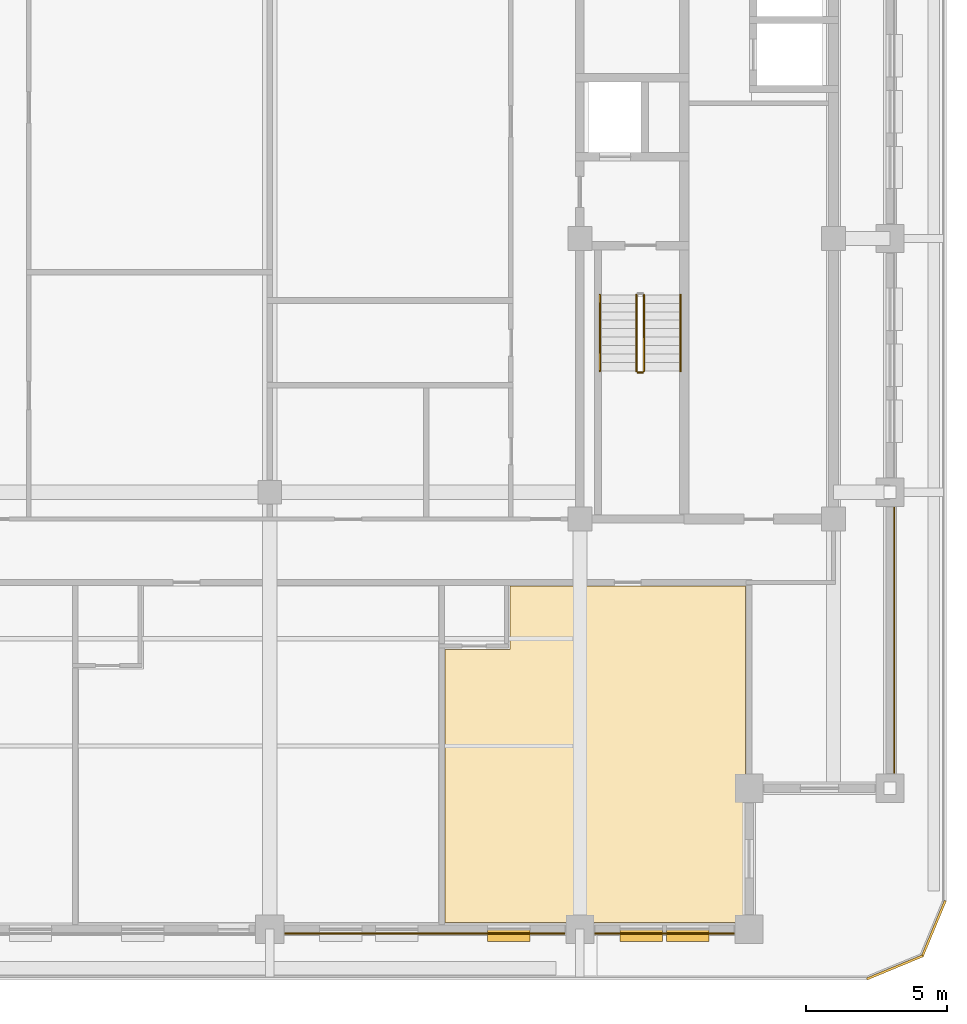
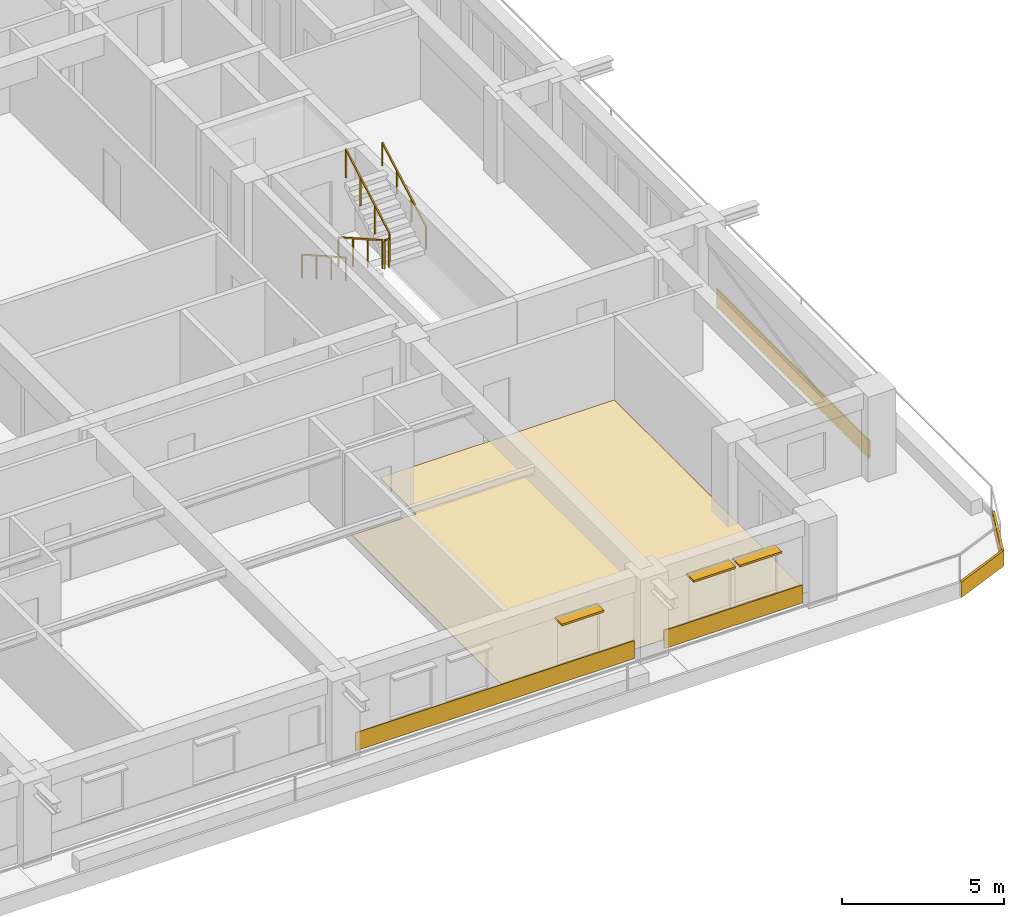
# One storey, part 12 of 14: 6 coverings, 5 railings, 3 shading devices.
"""IFC4 building model written with IfcOpenShell, lengths in metres."""

from ifc_helpers import new_model, si_unit, direction, frame, frame_2d, origin, origin_2d, place, context, subcontext, project, spatial, polyline, rectangle, outline, extrude, material, layer, layer_set, type_object, element, save


model = new_model("IFC4")

# Units and contexts
model_context = context("Model", 3, precision=1e-05, world=origin(), true_north=direction((0.0, 1.0)))
body_context = subcontext(model_context, "Body", "Model", "MODEL_VIEW")
ifc_project = project(units=[si_unit("LENGTHUNIT", "METRE"), si_unit("AREAUNIT", "SQUARE_METRE"), si_unit("VOLUMEUNIT", "CUBIC_METRE"), si_unit("PLANEANGLEUNIT", "RADIAN"), si_unit("MASSUNIT", "GRAM", prefix="KILO")], contexts=[model_context])

# Site, building, storey
site_placement = place(None, origin())
site = spatial("IfcSite", under=ifc_project, at=site_placement, CompositionType="ELEMENT")
building_placement = place(site_placement, origin())
building = spatial("IfcBuilding", under=site, at=building_placement, Name="Zulmaris Gate Convention Tower", CompositionType="ELEMENT")
storey_placement = place(building_placement, frame((0.0, 0.0, 194.85986328125)))
storey = spatial("IfcBuildingStorey", under=building, at=storey_placement, Name="L50", CompositionType="ELEMENT", Elevation=194.85986328125)

# Coverings
ifc_material_1 = material(Name="Precast concrete C40/50", Category="concrete")
ifc_layer_1 = layer(ifc_material_1, 0.0400390625, Name="Precast concrete C40/50")
ifc_layer_set_1 = layer_set([ifc_layer_1], Name="Precast concrete C40/50")
covering_type_1 = type_object("IfcCoveringType", Name="CLAD-SPANDREL-PRECAST", PredefinedType="CLADDING", material=ifc_layer_set_1)
covering_1_placement = place(storey_placement, frame((0.530029296875, -24.64990234375, 0.0), z_axis=(0.0, 0.0, 1.0), x_axis=(1.0, 0.0, 0.0)))
element("IfcCovering", 1, at=covering_1_placement, inside=storey, type_object=covering_type_1, Name="CLD-L50-S-2_0", PredefinedType="CLADDING", context=body_context, shape_type="SweptSolid", body=[
    extrude(rectangle(XDim=9.93994140625, YDim=0.0400390625, at=frame_2d((4.969970703125, 0.0))), origin(), (0.0, 0.0, 1.0), 0.679931640625),
])
covering_2_placement = place(storey_placement, frame((11.530029296875, -24.64990234375, 0.0), z_axis=(0.0, 0.0, 1.0), x_axis=(1.0, 0.0, 0.0)))
element("IfcCovering", 2, at=covering_2_placement, inside=storey, type_object=covering_type_1, Name="CLD-L50-S-3_0", PredefinedType="CLADDING", context=body_context, shape_type="SweptSolid", body=[
    extrude(rectangle(XDim=4.93994140625, YDim=0.0400390625, at=frame_2d((2.469970703125, 0.0))), origin(), (0.0, 0.0, 1.0), 0.679931640625),
])
covering_3_placement = place(storey_placement, frame((22.14990234375, -18.969970703125, 0.0), z_axis=(0.0, 0.0, 1.0), x_axis=(0.0, 1.0, 0.0)))
element("IfcCovering", 3, at=covering_3_placement, inside=storey, type_object=covering_type_1, Name="CLD-L50-E-0_0", PredefinedType="CLADDING", context=body_context, shape_type="SweptSolid", body=[
    extrude(rectangle(XDim=9.43994140625, YDim=0.0400390625, at=frame_2d((4.719970703125, 0.0))), origin(), (0.0, 0.0, 1.0), 0.679931640625),
])
ifc_material_2 = material(Name="White Glazed Architectural Precast Concrete C40/50", Category="concrete")
ifc_layer_2 = layer(ifc_material_2, 0.080078125, Name="White Glazed Architectural Precast Concrete C40/50")
ifc_layer_set_2 = layer_set([ifc_layer_2], Name="White Glazed Architectural Precast Concrete C40/50")
covering_type_2 = type_object("IfcCoveringType", Name="CLAD-TRAY-FASCIA", PredefinedType="CLADDING", material=ifc_layer_set_2)
covering_4_placement = place(storey_placement, frame((21.184814453125, -26.262939453125, -0.46484375), z_axis=(0.0, 0.0, 1.0), x_axis=(0.923873803533, 0.382697263049, 0.0)))
element("IfcCovering", 4, at=covering_4_placement, inside=storey, type_object=covering_type_2, Name="FSC-L50-TR-03", PredefinedType="CLADDING", context=body_context, shape_type="SweptSolid", body=[
    extrude(rectangle(XDim=2.142822265625, YDim=0.080078125, at=frame_2d((1.0712890625, 0.0))), origin(), (0.0, 0.0, 1.0), 0.5849609375),
])
covering_5_placement = place(storey_placement, frame((23.142822265625, -25.464599609375, -0.46484375), z_axis=(0.0, 0.0, 1.0), x_axis=(0.382656984709, 0.923890487046, 0.0)))
element("IfcCovering", 5, at=covering_5_placement, inside=storey, type_object=covering_type_2, Name="FSC-L50-TR-04", PredefinedType="CLADDING", context=body_context, shape_type="SweptSolid", body=[
    extrude(rectangle(XDim=2.14306640625, YDim=0.080078125, at=frame_2d((1.071533203125, 0.0))), origin(), (0.0, 0.0, 1.0), 0.5849609375),
])
ifc_material_3 = material(Name="Engineered Teak Parquet Flooring")
ifc_layer_3 = layer(ifc_material_3, 0.02001953125, Name="Engineered Teak Parquet Flooring")
ifc_layer_set_3 = layer_set([ifc_layer_3], Name="Engineered Teak Parquet Flooring")
covering_type_3 = type_object("IfcCoveringType", Name="FLR-TIMBER-18", PredefinedType="FLOORING", material=ifc_layer_set_3)
covering_6_placement = place(storey_placement, origin())
element("IfcCovering", 6, at=covering_6_placement, inside=storey, type_object=covering_type_3, Name="FLR-L50-R45", PredefinedType="FLOORING", context=body_context, shape_type="SweptSolid", body=[
    extrude(outline(polyline([(6.219970703125, -24.260009765625), (16.8798828125, -24.260009765625), (16.8798828125, -12.320068359375), (8.52001953125, -12.320068359375), (8.52001953125, -14.570068359375), (6.219970703125, -14.570068359375), (6.219970703125, -24.260009765625)])), origin(), (0.0, 0.0, 1.0), 0.02001953125),
])

# Railings
ifc_material_4 = material(Name="Painted Galvanised Steel", Category="steel")
railing_type_1 = type_object("IfcRailingType", Name="RL-STG-1150", PredefinedType="GUARDRAIL", material=ifc_material_4)
railing_1_placement = place(storey_placement, frame((13.010009765625, -2.0, 0.169921875)))
element("IfcRailing", 7, at=railing_1_placement, inside=storey, type_object=railing_type_1, Name="L50 ST-2 stair guard 1", PredefinedType="GUARDRAIL", context=body_context, shape_type="SweptSolid", body=[
    extrude(rectangle(XDim=0.048095703125, YDim=0.048095703125, at=origin_2d()), frame((0.0, 0.0, 1.076171875), z_axis=(0.0, -0.869980566543, 0.493086010588), x_axis=(1.0, 0.0, 0.0)), (0.0, 0.0, 1.0), 3.103515625),
    extrude(rectangle(XDim=0.0419921875, YDim=0.0419921875, at=origin_2d()), origin(), (0.0, 0.0, 1.0), 1.052001953125),
    extrude(rectangle(XDim=0.0419921875, YDim=0.0419921875, at=origin_2d()), frame((0.0, -0.89990234375, 0.510009765625)), (0.0, 0.0, 1.0), 1.052001953125),
    extrude(rectangle(XDim=0.0419921875, YDim=0.0419921875, at=origin_2d()), frame((0.0, -1.800048828125, 1.020263671875)), (0.0, 0.0, 1.0), 1.052001953125),
    extrude(rectangle(XDim=0.0419921875, YDim=0.0419921875, at=origin_2d()), frame((0.0, -2.699951171875, 1.5302734375)), (0.0, 0.0, 1.0), 1.052001953125),
])
railing_2_placement = place(storey_placement, frame((13.06005859375, -4.75, 1.7001953125)))
element("IfcRailing", 8, at=railing_2_placement, inside=storey, type_object=railing_type_1, Name="L50 ST-2 stair guard 2", PredefinedType="GUARDRAIL", context=body_context, shape_type="SweptSolid", body=[
    extrude(rectangle(XDim=0.048095703125, YDim=0.048095703125, at=origin_2d()), frame((0.0, 0.0, 1.076171875), z_axis=(1.0, 0.0, 0.0), x_axis=(0.0, 1.0, 0.0)), (0.0, 0.0, 1.0), 0.159912109375),
    extrude(rectangle(XDim=0.0419921875, YDim=0.0419921875, at=origin_2d()), origin(), (0.0, 0.0, 1.0), 1.052001953125),
    extrude(rectangle(XDim=0.0419921875, YDim=0.0419921875, at=origin_2d()), frame((0.159912109375, 0.0, 0.0)), (0.0, 0.0, 1.0), 1.052001953125),
])
railing_3_placement = place(storey_placement, frame((13.27001953125, -4.699951171875, 1.8701171875)))
element("IfcRailing", 9, at=railing_3_placement, inside=storey, type_object=railing_type_1, Name="L50 ST-2 stair guard 3", PredefinedType="GUARDRAIL", context=body_context, shape_type="SweptSolid", body=[
    extrude(rectangle(XDim=0.048095703125, YDim=0.048095703125, at=origin_2d()), frame((0.0, 0.0, 1.076171875), z_axis=(0.0, 0.870014312096, 0.49302646658), x_axis=(-1.0, 0.0, 0.0)), (0.0, 0.0, 1.0), 3.103271484375),
    extrude(rectangle(XDim=0.0419921875, YDim=0.0419921875, at=origin_2d()), origin(), (0.0, 0.0, 1.0), 1.052001953125),
    extrude(rectangle(XDim=0.0419921875, YDim=0.0419921875, at=origin_2d()), frame((0.0, 0.89990234375, 0.510009765625)), (0.0, 0.0, 1.0), 1.052001953125),
    extrude(rectangle(XDim=0.0419921875, YDim=0.0419921875, at=origin_2d()), frame((0.0, 1.800048828125, 1.02001953125)), (0.0, 0.0, 1.0), 1.052001953125),
    extrude(rectangle(XDim=0.0419921875, YDim=0.0419921875, at=origin_2d()), frame((0.0, 2.699951171875, 1.530029296875)), (0.0, 0.0, 1.0), 1.052001953125),
])
ifc_material_5 = material(Name="Brushed Stainless Steel", Category="steel")
railing_type_2 = type_object("IfcRailingType", Name="RL-STH-900", PredefinedType="HANDRAIL", material=ifc_material_5)
railing_4_placement = place(storey_placement, frame((11.7099609375, -2.0, 0.169921875)))
element("IfcRailing", 10, at=railing_4_placement, inside=storey, type_object=railing_type_2, Name="L50 ST-2 stair handrail 1", PredefinedType="HANDRAIL", context=body_context, shape_type="SweptSolid", body=[
    extrude(rectangle(XDim=0.048095703125, YDim=0.048095703125, at=origin_2d()), frame((0.0, 0.0, 0.8759765625), z_axis=(0.0, -0.869980566543, 0.493086010588), x_axis=(1.0, 0.0, 0.0)), (0.0, 0.0, 1.0), 3.103515625),
    extrude(rectangle(XDim=0.0419921875, YDim=0.0419921875, at=origin_2d()), origin(), (0.0, 0.0, 1.0), 0.851806640625),
    extrude(rectangle(XDim=0.0419921875, YDim=0.0419921875, at=origin_2d()), frame((0.0, -0.89990234375, 0.510009765625)), (0.0, 0.0, 1.0), 0.851806640625),
    extrude(rectangle(XDim=0.0419921875, YDim=0.0419921875, at=origin_2d()), frame((0.0, -1.800048828125, 1.020263671875)), (0.0, 0.0, 1.0), 0.851806640625),
    extrude(rectangle(XDim=0.0419921875, YDim=0.0419921875, at=origin_2d()), frame((0.0, -2.699951171875, 1.5302734375)), (0.0, 0.0, 1.0), 0.851806640625),
])
railing_5_placement = place(storey_placement, frame((14.570068359375, -4.699951171875, 1.8701171875)))
element("IfcRailing", 11, at=railing_5_placement, inside=storey, type_object=railing_type_2, Name="L50 ST-2 stair handrail 2", PredefinedType="HANDRAIL", context=body_context, shape_type="SweptSolid", body=[
    extrude(rectangle(XDim=0.048095703125, YDim=0.048095703125, at=origin_2d()), frame((0.0, 0.0, 0.8759765625), z_axis=(0.0, 0.870014312096, 0.49302646658), x_axis=(-1.0, 0.0, 0.0)), (0.0, 0.0, 1.0), 3.103271484375),
    extrude(rectangle(XDim=0.0419921875, YDim=0.0419921875, at=origin_2d()), origin(), (0.0, 0.0, 1.0), 0.851806640625),
    extrude(rectangle(XDim=0.0419921875, YDim=0.0419921875, at=origin_2d()), frame((0.0, 0.89990234375, 0.510009765625)), (0.0, 0.0, 1.0), 0.851806640625),
    extrude(rectangle(XDim=0.0419921875, YDim=0.0419921875, at=origin_2d()), frame((0.0, 1.800048828125, 1.02001953125)), (0.0, 0.0, 1.0), 0.851806640625),
    extrude(rectangle(XDim=0.0419921875, YDim=0.0419921875, at=origin_2d()), frame((0.0, 2.699951171875, 1.530029296875)), (0.0, 0.0, 1.0), 0.851806640625),
])

# Shading devices
ifc_material_6 = material(Name="Glazed Ceramic Terracotta", Category="masonry")
ifc_layer_4 = layer(ifc_material_6, 0.070068359375, Name="Glazed Ceramic Terracotta")
ifc_layer_set_4 = layer_set([ifc_layer_4], Name="Glazed Ceramic Terracotta")
shading_device_type = type_object("IfcShadingDeviceType", Name="SHD-SUNSHADE-TC", PredefinedType="AWNING", material=ifc_layer_set_4)
for number, where, z_axis, x_axis, name in (
    (12, (7.73193359375, -24.719970703125, 2.35009765625), (0.0, 0.0, 1.0), (1.0, 0.0, 0.0), "SHD-EW-L50-S-2_0-4"),
    (13, (12.427001953125, -24.719970703125, 2.35009765625), (0.0, 0.0, 1.0), (1.0, 0.0, 0.0), "SHD-EW-L50-S-3_0-1"),
    (14, (14.072998046875, -24.719970703125, 2.35009765625), (0.0, 0.0, 1.0), (1.0, 0.0, 0.0), "SHD-EW-L50-S-3_0-2"),
):
    element("IfcShadingDevice", number, at=place(storey_placement, frame(where, z_axis=z_axis, x_axis=x_axis)), inside=storey, type_object=shading_device_type, Name=name, PredefinedType="AWNING", context=body_context, shape_type="SweptSolid", body=[
        extrude(rectangle(XDim=1.5, YDim=0.43994140625, at=frame_2d((0.75, 0.0))), origin(), (0.0, 0.0, 1.0), 0.06982421875),
    ])

save(model, "model.ifc")
